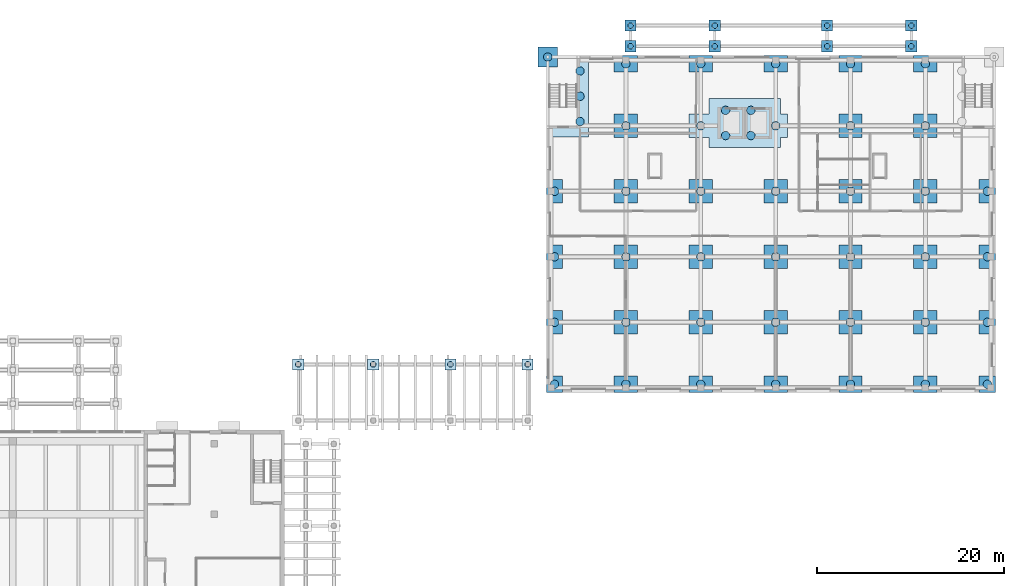
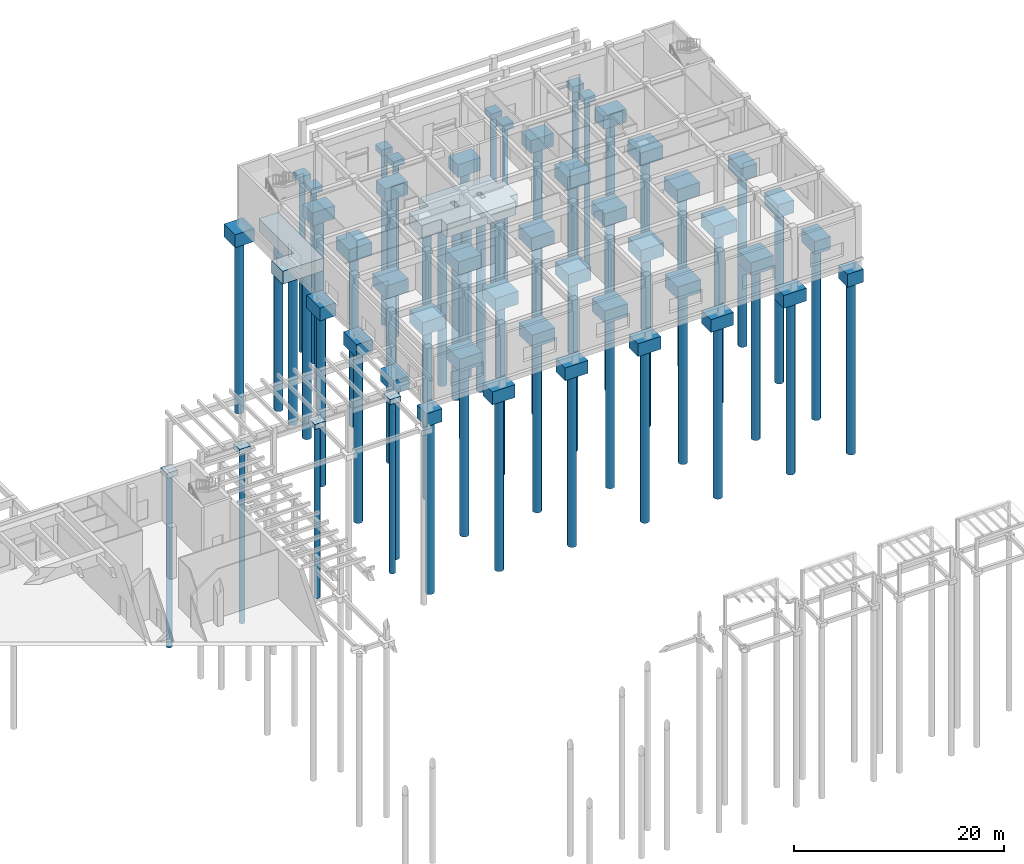
# One storey, part 3 of 51: 58 piles, 51 footings.
"""IFC4 building model written with IfcOpenShell, lengths in metres."""

from ifc_helpers import new_model, si_unit, direction, frame, origin, origin_2d, place, context, subcontext, project, spatial, polyline, circle, outline, extrude, material, layer, layer_set, material_profile, profile_set, type_object, element, save


model = new_model("IFC4")

# Units and contexts
model_context = context("Model", 3, precision=1e-05, world=origin(), true_north=direction((0.0, 1.0)))
body_context = subcontext(model_context, "Body", "Model", "MODEL_VIEW")
ifc_project = project(units=[si_unit("LENGTHUNIT", "METRE"), si_unit("AREAUNIT", "SQUARE_METRE"), si_unit("VOLUMEUNIT", "CUBIC_METRE"), si_unit("PLANEANGLEUNIT", "RADIAN"), si_unit("MASSUNIT", "GRAM", prefix="KILO")], contexts=[model_context])

# Site, building, storey
site_placement = place(None, origin())
site = spatial("IfcSite", under=ifc_project, at=site_placement, CompositionType="ELEMENT")
building_placement = place(site_placement, origin())
building = spatial("IfcBuilding", under=site, at=building_placement, Name="Elmora Arch Market Hall", CompositionType="ELEMENT")
storey_placement = place(building_placement, origin())
storey = spatial("IfcBuildingStorey", under=building, at=storey_placement, Name="L00", CompositionType="ELEMENT", Elevation=0.0)

# Piles
ifc_material_1 = material(Name="Concrete C40/50", Category="concrete")
ifc_material_profile_1 = material_profile(ifc_material_1, circle(Radius=0.300048828125, at=origin_2d()), Name="Bored pile D600")
ifc_profile_set_1 = profile_set([ifc_material_profile_1], Name="Concrete C40/50")
pile_type_1 = type_object("IfcPileType", Name="Bored pile D600", PredefinedType="BORED", material=ifc_profile_set_1)
for number, where, z_axis, x_axis, name in (
    (1, (59.5, 133.0, -0.89990234375), (0.0, 0.0, -1.0), (1.0, 0.0, 0.0), "Bored pile PASS-N-05"),
    (2, (67.5, 133.0, -0.89990234375), (0.0, 0.0, -1.0), (1.0, 0.0, 0.0), "Bored pile PASS-N-06"),
    (3, (75.75, 133.0, -0.89990234375), (0.0, 0.0, -1.0), (1.0, 0.0, 0.0), "Bored pile PASS-N-07"),
    (4, (84.0, 133.0, -0.89990234375), (0.0, 0.0, -1.0), (1.0, 0.0, 0.0), "Bored pile PASS-N-08"),
    (5, (95.0, 167.0, -1.0), (0.0, 0.0, -1.0), (1.0, 0.0, 0.0), "Bored pile CAN-SCH-01"),
    (6, (104.0, 167.0, -1.0), (0.0, 0.0, -1.0), (1.0, 0.0, 0.0), "Bored pile CAN-SCH-02"),
    (7, (116.0, 167.0, -1.0), (0.0, 0.0, -1.0), (1.0, 0.0, 0.0), "Bored pile CAN-SCH-03"),
    (8, (125.0, 167.0, -1.0), (0.0, 0.0, -1.0), (1.0, 0.0, 0.0), "Bored pile CAN-SCH-04"),
    (9, (95.0, 169.199951171875, -1.0), (0.0, 0.0, -1.0), (1.0, 0.0, 0.0), "Bored pile CAN-SCH-05"),
    (10, (104.0, 169.199951171875, -1.0), (0.0, 0.0, -1.0), (1.0, 0.0, 0.0), "Bored pile CAN-SCH-06"),
    (11, (116.0, 169.199951171875, -1.0), (0.0, 0.0, -1.0), (1.0, 0.0, 0.0), "Bored pile CAN-SCH-07"),
    (12, (125.0, 169.199951171875, -1.0), (0.0, 0.0, -1.0), (1.0, 0.0, 0.0), "Bored pile CAN-SCH-08"),
):
    element("IfcPile", number, at=place(storey_placement, frame(where, z_axis=z_axis, x_axis=x_axis)), inside=storey, type_object=pile_type_1, Name=name, PredefinedType="BORED", context=body_context, shape_type="SweptSolid", body=[
        extrude(circle(Radius=0.300048828125, at=origin_2d()), origin(), (0.0, 0.0, 1.0), 20.0),
    ])
ifc_material_2 = material(Name="Concrete C40/50", Category="concrete")
ifc_material_profile_2 = material_profile(ifc_material_2, circle(Radius=0.449951171875, at=origin_2d()), Name="Bored pile D900")
ifc_profile_set_2 = profile_set([ifc_material_profile_2], Name="Concrete C40/50")
pile_type_2 = type_object("IfcPileType", Name="Bored pile D900", PredefinedType="BORED", material=ifc_profile_set_2)
for number, where, z_axis, x_axis, name in (
    (13, (86.875, 130.875, -2.89990234375), (0.0, 0.0, -1.0), (1.0, 0.0, 0.0), "Bored pile S001.01"),
    (14, (94.5, 130.875, -2.89990234375), (0.0, 0.0, -1.0), (1.0, 0.0, 0.0), "Bored pile S002.01"),
    (15, (102.5, 130.875, -2.89990234375), (0.0, 0.0, -1.0), (1.0, 0.0, 0.0), "Bored pile S003.01"),
    (16, (110.5, 130.875, -2.89990234375), (0.0, 0.0, -1.0), (1.0, 0.0, 0.0), "Bored pile S004.01"),
    (17, (118.5, 130.875, -2.89990234375), (0.0, 0.0, -1.0), (1.0, 0.0, 0.0), "Bored pile S005.01"),
    (18, (126.5, 130.875, -2.89990234375), (0.0, 0.0, -1.0), (1.0, 0.0, 0.0), "Bored pile S006.01"),
    (19, (133.125, 130.875, -2.89990234375), (0.0, 0.0, -1.0), (1.0, 0.0, 0.0), "Bored pile S007.01"),
    (20, (86.875, 137.5, -2.89990234375), (0.0, 0.0, -1.0), (1.0, 0.0, 0.0), "Bored pile S008.01"),
    (21, (94.5, 137.5, -2.89990234375), (0.0, 0.0, -1.0), (1.0, 0.0, 0.0), "Bored pile S009.01"),
    (22, (102.5, 137.5, -2.89990234375), (0.0, 0.0, -1.0), (1.0, 0.0, 0.0), "Bored pile S010.01"),
    (23, (110.5, 137.5, -2.89990234375), (0.0, 0.0, -1.0), (1.0, 0.0, 0.0), "Bored pile S011.01"),
    (24, (118.5, 137.5, -2.89990234375), (0.0, 0.0, -1.0), (1.0, 0.0, 0.0), "Bored pile S012.01"),
    (25, (126.5, 137.5, -2.89990234375), (0.0, 0.0, -1.0), (1.0, 0.0, 0.0), "Bored pile S013.01"),
    (26, (133.125, 137.5, -2.89990234375), (0.0, 0.0, -1.0), (1.0, 0.0, 0.0), "Bored pile S014.01"),
    (27, (86.875, 144.5, -2.89990234375), (0.0, 0.0, -1.0), (1.0, 0.0, 0.0), "Bored pile S015.01"),
    (28, (94.5, 144.5, -2.89990234375), (0.0, 0.0, -1.0), (1.0, 0.0, 0.0), "Bored pile S016.01"),
    (29, (102.5, 144.5, -2.89990234375), (0.0, 0.0, -1.0), (1.0, 0.0, 0.0), "Bored pile S017.01"),
    (30, (110.5, 144.5, -2.89990234375), (0.0, 0.0, -1.0), (1.0, 0.0, 0.0), "Bored pile S018.01"),
    (31, (118.5, 144.5, -2.89990234375), (0.0, 0.0, -1.0), (1.0, 0.0, 0.0), "Bored pile S019.01"),
    (32, (126.5, 144.5, -2.89990234375), (0.0, 0.0, -1.0), (1.0, 0.0, 0.0), "Bored pile S020.01"),
    (33, (133.125, 144.5, -2.89990234375), (0.0, 0.0, -1.0), (1.0, 0.0, 0.0), "Bored pile S021.01"),
    (34, (86.875, 151.5, -2.89990234375), (0.0, 0.0, -1.0), (1.0, 0.0, 0.0), "Bored pile S022.01"),
    (35, (94.5, 151.5, -2.89990234375), (0.0, 0.0, -1.0), (1.0, 0.0, 0.0), "Bored pile S023.01"),
    (36, (102.5, 151.5, -2.89990234375), (0.0, 0.0, -1.0), (1.0, 0.0, 0.0), "Bored pile S024.01"),
    (37, (110.5, 151.5, -2.89990234375), (0.0, 0.0, -1.0), (1.0, 0.0, 0.0), "Bored pile S025.01"),
    (38, (118.5, 151.5, -2.89990234375), (0.0, 0.0, -1.0), (1.0, 0.0, 0.0), "Bored pile S026.01"),
    (39, (126.5, 151.5, -2.89990234375), (0.0, 0.0, -1.0), (1.0, 0.0, 0.0), "Bored pile S027.01"),
    (40, (133.125, 151.5, -2.89990234375), (0.0, 0.0, -1.0), (1.0, 0.0, 0.0), "Bored pile S028.01"),
    (41, (105.14990234375, 157.449951171875, -2.89990234375), (0.0, 0.0, -1.0), (1.0, 0.0, 0.0), "Bored pile S029.01"),
    (42, (105.14990234375, 160.14990234375, -2.89990234375), (0.0, 0.0, -1.0), (1.0, 0.0, 0.0), "Bored pile S029.02"),
    (43, (107.85009765625, 157.449951171875, -2.89990234375), (0.0, 0.0, -1.0), (1.0, 0.0, 0.0), "Bored pile S029.03"),
    (44, (107.85009765625, 160.14990234375, -2.89990234375), (0.0, 0.0, -1.0), (1.0, 0.0, 0.0), "Bored pile S029.04"),
    (45, (102.5, 158.5, -2.89990234375), (0.0, 0.0, -1.0), (1.0, 0.0, 0.0), "Bored pile S029.05"),
    (46, (110.5, 158.5, -2.89990234375), (0.0, 0.0, -1.0), (1.0, 0.0, 0.0), "Bored pile S029.06"),
    (47, (94.5, 158.5, -2.89990234375), (0.0, 0.0, -1.0), (1.0, 0.0, 0.0), "Bored pile S030.01"),
    (48, (118.5, 158.5, -2.89990234375), (0.0, 0.0, -1.0), (1.0, 0.0, 0.0), "Bored pile S031.01"),
    (49, (126.5, 158.5, -2.89990234375), (0.0, 0.0, -1.0), (1.0, 0.0, 0.0), "Bored pile S032.01"),
    (50, (89.60009765625, 158.949951171875, -2.89990234375), (0.0, 0.0, -1.0), (1.0, 0.0, 0.0), "Bored pile S033.01"),
    (51, (89.60009765625, 161.64990234375, -2.89990234375), (0.0, 0.0, -1.0), (1.0, 0.0, 0.0), "Bored pile S033.02"),
    (52, (89.60009765625, 164.35009765625, -2.89990234375), (0.0, 0.0, -1.0), (1.0, 0.0, 0.0), "Bored pile S033.03"),
    (53, (94.5, 165.125, -2.89990234375), (0.0, 0.0, -1.0), (1.0, 0.0, 0.0), "Bored pile S035.01"),
    (54, (102.5, 165.125, -2.89990234375), (0.0, 0.0, -1.0), (1.0, 0.0, 0.0), "Bored pile S036.01"),
    (55, (110.5, 165.125, -2.89990234375), (0.0, 0.0, -1.0), (1.0, 0.0, 0.0), "Bored pile S037.01"),
    (56, (118.5, 165.125, -2.89990234375), (0.0, 0.0, -1.0), (1.0, 0.0, 0.0), "Bored pile S038.01"),
    (57, (126.5, 165.125, -2.89990234375), (0.0, 0.0, -1.0), (1.0, 0.0, 0.0), "Bored pile S039.01"),
    (58, (86.14990234375, 165.85009765625, -2.89990234375), (0.0, 0.0, -1.0), (1.0, 0.0, 0.0), "Bored pile S040.01"),
):
    element("IfcPile", number, at=place(storey_placement, frame(where, z_axis=z_axis, x_axis=x_axis)), inside=storey, type_object=pile_type_2, Name=name, PredefinedType="BORED", context=body_context, shape_type="SweptSolid", body=[
        extrude(circle(Radius=0.449951171875, at=origin_2d()), origin(), (0.0, 0.0, 1.0), 20.0),
    ])

# Footings
ifc_material_3 = material(Name="Concrete C40/50", Category="concrete")
ifc_layer_1 = layer(ifc_material_3, 0.60009765625)
ifc_layer_set_1 = layer_set([ifc_layer_1], Name="Concrete C40/50")
footing_type_1 = type_object("IfcFootingType", Name="Pad footing 600", PredefinedType="PAD_FOOTING", material=ifc_layer_set_1)
footing_1_placement = place(storey_placement, frame((0.0, 0.0, -0.89990234375)))
element("IfcFooting", 59, at=footing_1_placement, inside=storey, type_object=footing_type_1, Name="Pad footing PASS-N-05", PredefinedType="PAD_FOOTING", context=body_context, shape_type="SweptSolid", body=[
    extrude(outline(polyline([(58.89990234375, 132.39990234375), (60.10009765625, 132.39990234375), (60.10009765625, 133.60009765625), (58.89990234375, 133.60009765625), (58.89990234375, 132.39990234375)])), origin(), (0.0, 0.0, 1.0), 0.599853515625),
])
footing_2_placement = place(storey_placement, frame((0.0, 0.0, -0.89990234375)))
element("IfcFooting", 60, at=footing_2_placement, inside=storey, type_object=footing_type_1, Name="Pad footing PASS-N-06", PredefinedType="PAD_FOOTING", context=body_context, shape_type="SweptSolid", body=[
    extrude(outline(polyline([(66.89990234375, 132.39990234375), (68.10009765625, 132.39990234375), (68.10009765625, 133.60009765625), (66.89990234375, 133.60009765625), (66.89990234375, 132.39990234375)])), origin(), (0.0, 0.0, 1.0), 0.599853515625),
])
footing_3_placement = place(storey_placement, frame((0.0, 0.0, -0.89990234375)))
element("IfcFooting", 61, at=footing_3_placement, inside=storey, type_object=footing_type_1, Name="Pad footing PASS-N-07", PredefinedType="PAD_FOOTING", context=body_context, shape_type="SweptSolid", body=[
    extrude(outline(polyline([(75.14990234375, 132.39990234375), (76.35009765625, 132.39990234375), (76.35009765625, 133.60009765625), (75.14990234375, 133.60009765625), (75.14990234375, 132.39990234375)])), origin(), (0.0, 0.0, 1.0), 0.599853515625),
])
footing_4_placement = place(storey_placement, frame((0.0, 0.0, -0.89990234375)))
element("IfcFooting", 62, at=footing_4_placement, inside=storey, type_object=footing_type_1, Name="Pad footing PASS-N-08", PredefinedType="PAD_FOOTING", context=body_context, shape_type="SweptSolid", body=[
    extrude(outline(polyline([(83.39990234375, 132.39990234375), (84.60009765625, 132.39990234375), (84.60009765625, 133.60009765625), (83.39990234375, 133.60009765625), (83.39990234375, 132.39990234375)])), origin(), (0.0, 0.0, 1.0), 0.599853515625),
])
ifc_material_4 = material(Name="Concrete C40/50", Category="concrete")
ifc_layer_2 = layer(ifc_material_4, 0.699951171875)
ifc_layer_set_2 = layer_set([ifc_layer_2], Name="Concrete C40/50")
footing_type_2 = type_object("IfcFootingType", Name="Pad footing 700", PredefinedType="PAD_FOOTING", material=ifc_layer_set_2)
footing_5_placement = place(storey_placement, frame((0.0, 0.0, -1.0)))
element("IfcFooting", 63, at=footing_5_placement, inside=storey, type_object=footing_type_2, Name="Pad footing CAN-SCH-01", PredefinedType="PAD_FOOTING", context=body_context, shape_type="SweptSolid", body=[
    extrude(outline(polyline([(94.39990234375, 166.39990234375), (95.60009765625, 166.39990234375), (95.60009765625, 167.60009765625), (94.39990234375, 167.60009765625), (94.39990234375, 166.39990234375)])), origin(), (0.0, 0.0, 1.0), 0.699951171875),
])
footing_6_placement = place(storey_placement, frame((0.0, 0.0, -1.0)))
element("IfcFooting", 64, at=footing_6_placement, inside=storey, type_object=footing_type_2, Name="Pad footing CAN-SCH-02", PredefinedType="PAD_FOOTING", context=body_context, shape_type="SweptSolid", body=[
    extrude(outline(polyline([(103.39990234375, 166.39990234375), (104.60009765625, 166.39990234375), (104.60009765625, 167.60009765625), (103.39990234375, 167.60009765625), (103.39990234375, 166.39990234375)])), origin(), (0.0, 0.0, 1.0), 0.699951171875),
])
footing_7_placement = place(storey_placement, frame((0.0, 0.0, -1.0)))
element("IfcFooting", 65, at=footing_7_placement, inside=storey, type_object=footing_type_2, Name="Pad footing CAN-SCH-03", PredefinedType="PAD_FOOTING", context=body_context, shape_type="SweptSolid", body=[
    extrude(outline(polyline([(115.39990234375, 166.39990234375), (116.60009765625, 166.39990234375), (116.60009765625, 167.60009765625), (115.39990234375, 167.60009765625), (115.39990234375, 166.39990234375)])), origin(), (0.0, 0.0, 1.0), 0.699951171875),
])
footing_8_placement = place(storey_placement, frame((0.0, 0.0, -1.0)))
element("IfcFooting", 66, at=footing_8_placement, inside=storey, type_object=footing_type_2, Name="Pad footing CAN-SCH-04", PredefinedType="PAD_FOOTING", context=body_context, shape_type="SweptSolid", body=[
    extrude(outline(polyline([(124.39990234375, 166.39990234375), (125.60009765625, 166.39990234375), (125.60009765625, 167.60009765625), (124.39990234375, 167.60009765625), (124.39990234375, 166.39990234375)])), origin(), (0.0, 0.0, 1.0), 0.699951171875),
])
footing_9_placement = place(storey_placement, frame((0.0, 0.0, -1.0)))
element("IfcFooting", 67, at=footing_9_placement, inside=storey, type_object=footing_type_2, Name="Pad footing CAN-SCH-05", PredefinedType="PAD_FOOTING", context=body_context, shape_type="SweptSolid", body=[
    extrude(outline(polyline([(94.39990234375, 168.60009765625), (95.60009765625, 168.60009765625), (95.60009765625, 169.800048828125), (94.39990234375, 169.800048828125), (94.39990234375, 168.60009765625)])), origin(), (0.0, 0.0, 1.0), 0.699951171875),
])
footing_10_placement = place(storey_placement, frame((0.0, 0.0, -1.0)))
element("IfcFooting", 68, at=footing_10_placement, inside=storey, type_object=footing_type_2, Name="Pad footing CAN-SCH-06", PredefinedType="PAD_FOOTING", context=body_context, shape_type="SweptSolid", body=[
    extrude(outline(polyline([(103.39990234375, 168.60009765625), (104.60009765625, 168.60009765625), (104.60009765625, 169.800048828125), (103.39990234375, 169.800048828125), (103.39990234375, 168.60009765625)])), origin(), (0.0, 0.0, 1.0), 0.699951171875),
])
footing_11_placement = place(storey_placement, frame((0.0, 0.0, -1.0)))
element("IfcFooting", 69, at=footing_11_placement, inside=storey, type_object=footing_type_2, Name="Pad footing CAN-SCH-07", PredefinedType="PAD_FOOTING", context=body_context, shape_type="SweptSolid", body=[
    extrude(outline(polyline([(115.39990234375, 168.60009765625), (116.60009765625, 168.60009765625), (116.60009765625, 169.800048828125), (115.39990234375, 169.800048828125), (115.39990234375, 168.60009765625)])), origin(), (0.0, 0.0, 1.0), 0.699951171875),
])
footing_12_placement = place(storey_placement, frame((0.0, 0.0, -1.0)))
element("IfcFooting", 70, at=footing_12_placement, inside=storey, type_object=footing_type_2, Name="Pad footing CAN-SCH-08", PredefinedType="PAD_FOOTING", context=body_context, shape_type="SweptSolid", body=[
    extrude(outline(polyline([(124.39990234375, 168.60009765625), (125.60009765625, 168.60009765625), (125.60009765625, 169.800048828125), (124.39990234375, 169.800048828125), (124.39990234375, 168.60009765625)])), origin(), (0.0, 0.0, 1.0), 0.699951171875),
])
ifc_material_5 = material(Name="Concrete C40/50", Category="concrete")
ifc_layer_3 = layer(ifc_material_5, 1.5)
ifc_layer_set_3 = layer_set([ifc_layer_3], Name="Concrete C40/50")
footing_type_3 = type_object("IfcFootingType", Name="Pile cap 1500, 3 to 4 piles", PredefinedType="PILE_CAP", material=ifc_layer_set_3)
footing_13_placement = place(storey_placement, frame((0.0, 0.0, -2.89990234375)))
element("IfcFooting", 71, at=footing_13_placement, inside=storey, type_object=footing_type_3, Name="Pile cap S033", PredefinedType="PILE_CAP", context=body_context, shape_type="SweptSolid", body=[
    extrude(outline(polyline([(88.39990234375, 164.800048828125), (88.39990234375, 166.0), (90.5, 166.0), (90.5, 164.800048828125), (90.5, 157.300048828125), (90.199951171875, 157.300048828125), (88.39990234375, 157.300048828125), (87.199951171875, 157.300048828125), (86.0, 157.300048828125), (86.0, 159.39990234375), (87.199951171875, 159.39990234375), (88.39990234375, 159.39990234375), (88.39990234375, 164.800048828125), (88.39990234375, 164.800048828125)])), origin(), (0.0, 0.0, 1.0), 1.5),
])
ifc_material_6 = material(Name="Concrete C40/50", Category="concrete")
ifc_layer_4 = layer(ifc_material_6, 1.5)
ifc_layer_set_4 = layer_set([ifc_layer_4], Name="Concrete C40/50")
footing_type_4 = type_object("IfcFootingType", Name="Pile cap 1500, 5 to 8 piles", PredefinedType="PILE_CAP", material=ifc_layer_set_4)
footing_14_placement = place(storey_placement, frame((0.0, 0.0, -2.89990234375)))
element("IfcFooting", 72, at=footing_14_placement, inside=storey, type_object=footing_type_4, Name="Pile cap S029", PredefinedType="PILE_CAP", context=body_context, shape_type="SweptSolid", body=[
    extrude(outline(polyline([(103.39990234375, 159.75), (103.39990234375, 161.39990234375), (103.699951171875, 161.39990234375), (105.5, 161.39990234375), (106.0, 161.39990234375), (106.300048828125, 161.39990234375), (106.60009765625, 161.39990234375), (107.800048828125, 161.39990234375), (108.10009765625, 161.39990234375), (108.39990234375, 161.39990234375), (108.89990234375, 161.39990234375), (110.699951171875, 161.39990234375), (111.0, 161.39990234375), (111.0, 159.75), (111.75, 159.75), (111.75, 157.25), (111.0, 157.25), (111.0, 156.199951171875), (110.699951171875, 156.199951171875), (108.89990234375, 156.199951171875), (108.39990234375, 156.199951171875), (108.10009765625, 156.199951171875), (107.800048828125, 156.199951171875), (106.60009765625, 156.199951171875), (106.300048828125, 156.199951171875), (106.0, 156.199951171875), (105.5, 156.199951171875), (103.699951171875, 156.199951171875), (103.39990234375, 156.199951171875), (103.39990234375, 157.25), (101.25, 157.25), (101.25, 159.75), (103.39990234375, 159.75)]), holes=[polyline([(106.0, 159.300048828125), (105.5, 159.300048828125), (105.5, 158.300048828125), (106.0, 158.300048828125), (106.0, 159.300048828125)]), polyline([(108.89990234375, 159.300048828125), (108.39990234375, 159.300048828125), (108.39990234375, 158.300048828125), (108.89990234375, 158.300048828125), (108.89990234375, 159.300048828125)])]), origin(), (0.0, 0.0, 1.0), 1.5),
])
ifc_material_7 = material(Name="Concrete C40/50", Category="concrete")
ifc_layer_5 = layer(ifc_material_7, 1.5)
ifc_layer_set_5 = layer_set([ifc_layer_5], Name="Concrete C40/50")
footing_type_5 = type_object("IfcFootingType", Name="Pile cap 1500, up to 2 piles", PredefinedType="PILE_CAP", material=ifc_layer_set_5)
footing_15_placement = place(storey_placement, frame((0.0, 0.0, -2.89990234375)))
element("IfcFooting", 73, at=footing_15_placement, inside=storey, type_object=footing_type_5, Name="Pile cap S001", PredefinedType="PILE_CAP", context=body_context, shape_type="SweptSolid", body=[
    extrude(outline(polyline([(87.75, 131.75), (87.75, 130.0), (86.0, 130.0), (86.0, 131.75), (87.75, 131.75)])), origin(), (0.0, 0.0, 1.0), 1.5),
])
footing_16_placement = place(storey_placement, frame((0.0, 0.0, -2.89990234375)))
element("IfcFooting", 74, at=footing_16_placement, inside=storey, type_object=footing_type_5, Name="Pile cap S002", PredefinedType="PILE_CAP", context=body_context, shape_type="SweptSolid", body=[
    extrude(outline(polyline([(95.75, 131.75), (95.75, 130.0), (93.25, 130.0), (93.25, 131.75), (95.75, 131.75)])), origin(), (0.0, 0.0, 1.0), 1.5),
])
footing_17_placement = place(storey_placement, frame((0.0, 0.0, -2.89990234375)))
element("IfcFooting", 75, at=footing_17_placement, inside=storey, type_object=footing_type_5, Name="Pile cap S003", PredefinedType="PILE_CAP", context=body_context, shape_type="SweptSolid", body=[
    extrude(outline(polyline([(103.75, 131.75), (103.75, 130.0), (101.25, 130.0), (101.25, 131.75), (103.75, 131.75)])), origin(), (0.0, 0.0, 1.0), 1.5),
])
footing_18_placement = place(storey_placement, frame((0.0, 0.0, -2.89990234375)))
element("IfcFooting", 76, at=footing_18_placement, inside=storey, type_object=footing_type_5, Name="Pile cap S004", PredefinedType="PILE_CAP", context=body_context, shape_type="SweptSolid", body=[
    extrude(outline(polyline([(109.25, 131.75), (111.75, 131.75), (111.75, 130.0), (109.25, 130.0), (109.25, 131.75)])), origin(), (0.0, 0.0, 1.0), 1.5),
])
footing_19_placement = place(storey_placement, frame((0.0, 0.0, -2.89990234375)))
element("IfcFooting", 77, at=footing_19_placement, inside=storey, type_object=footing_type_5, Name="Pile cap S005", PredefinedType="PILE_CAP", context=body_context, shape_type="SweptSolid", body=[
    extrude(outline(polyline([(119.75, 131.75), (119.75, 130.0), (117.25, 130.0), (117.25, 131.75), (119.75, 131.75)])), origin(), (0.0, 0.0, 1.0), 1.5),
])
footing_20_placement = place(storey_placement, frame((0.0, 0.0, -2.89990234375)))
element("IfcFooting", 78, at=footing_20_placement, inside=storey, type_object=footing_type_5, Name="Pile cap S006", PredefinedType="PILE_CAP", context=body_context, shape_type="SweptSolid", body=[
    extrude(outline(polyline([(127.75, 131.75), (127.75, 130.0), (125.25, 130.0), (125.25, 131.75), (127.75, 131.75)])), origin(), (0.0, 0.0, 1.0), 1.5),
])
footing_21_placement = place(storey_placement, frame((0.0, 0.0, -2.89990234375)))
element("IfcFooting", 79, at=footing_21_placement, inside=storey, type_object=footing_type_5, Name="Pile cap S007", PredefinedType="PILE_CAP", context=body_context, shape_type="SweptSolid", body=[
    extrude(outline(polyline([(134.0, 131.75), (134.0, 130.0), (132.25, 130.0), (132.25, 131.75), (134.0, 131.75)])), origin(), (0.0, 0.0, 1.0), 1.5),
])
footing_22_placement = place(storey_placement, frame((0.0, 0.0, -2.89990234375)))
element("IfcFooting", 80, at=footing_22_placement, inside=storey, type_object=footing_type_5, Name="Pile cap S008", PredefinedType="PILE_CAP", context=body_context, shape_type="SweptSolid", body=[
    extrude(outline(polyline([(87.75, 138.75), (87.75, 136.25), (86.0, 136.25), (86.0, 138.75), (87.75, 138.75)])), origin(), (0.0, 0.0, 1.0), 1.5),
])
footing_23_placement = place(storey_placement, frame((0.0, 0.0, -2.89990234375)))
element("IfcFooting", 81, at=footing_23_placement, inside=storey, type_object=footing_type_5, Name="Pile cap S009", PredefinedType="PILE_CAP", context=body_context, shape_type="SweptSolid", body=[
    extrude(outline(polyline([(95.75, 138.75), (95.75, 136.25), (93.25, 136.25), (93.25, 138.75), (95.75, 138.75)])), origin(), (0.0, 0.0, 1.0), 1.5),
])
footing_24_placement = place(storey_placement, frame((0.0, 0.0, -2.89990234375)))
element("IfcFooting", 82, at=footing_24_placement, inside=storey, type_object=footing_type_5, Name="Pile cap S010", PredefinedType="PILE_CAP", context=body_context, shape_type="SweptSolid", body=[
    extrude(outline(polyline([(103.75, 138.75), (103.75, 136.25), (101.25, 136.25), (101.25, 138.75), (103.75, 138.75)])), origin(), (0.0, 0.0, 1.0), 1.5),
])
footing_25_placement = place(storey_placement, frame((0.0, 0.0, -2.89990234375)))
element("IfcFooting", 83, at=footing_25_placement, inside=storey, type_object=footing_type_5, Name="Pile cap S011", PredefinedType="PILE_CAP", context=body_context, shape_type="SweptSolid", body=[
    extrude(outline(polyline([(111.75, 138.75), (111.75, 136.25), (109.25, 136.25), (109.25, 138.75), (111.75, 138.75)])), origin(), (0.0, 0.0, 1.0), 1.5),
])
footing_26_placement = place(storey_placement, frame((0.0, 0.0, -2.89990234375)))
element("IfcFooting", 84, at=footing_26_placement, inside=storey, type_object=footing_type_5, Name="Pile cap S012", PredefinedType="PILE_CAP", context=body_context, shape_type="SweptSolid", body=[
    extrude(outline(polyline([(119.75, 138.75), (119.75, 136.25), (117.25, 136.25), (117.25, 138.75), (119.75, 138.75)])), origin(), (0.0, 0.0, 1.0), 1.5),
])
footing_27_placement = place(storey_placement, frame((0.0, 0.0, -2.89990234375)))
element("IfcFooting", 85, at=footing_27_placement, inside=storey, type_object=footing_type_5, Name="Pile cap S013", PredefinedType="PILE_CAP", context=body_context, shape_type="SweptSolid", body=[
    extrude(outline(polyline([(127.75, 138.75), (127.75, 136.25), (125.25, 136.25), (125.25, 138.75), (127.75, 138.75)])), origin(), (0.0, 0.0, 1.0), 1.5),
])
footing_28_placement = place(storey_placement, frame((0.0, 0.0, -2.89990234375)))
element("IfcFooting", 86, at=footing_28_placement, inside=storey, type_object=footing_type_5, Name="Pile cap S014", PredefinedType="PILE_CAP", context=body_context, shape_type="SweptSolid", body=[
    extrude(outline(polyline([(134.0, 138.75), (134.0, 136.25), (132.25, 136.25), (132.25, 138.75), (134.0, 138.75)])), origin(), (0.0, 0.0, 1.0), 1.5),
])
footing_29_placement = place(storey_placement, frame((0.0, 0.0, -2.89990234375)))
element("IfcFooting", 87, at=footing_29_placement, inside=storey, type_object=footing_type_5, Name="Pile cap S015", PredefinedType="PILE_CAP", context=body_context, shape_type="SweptSolid", body=[
    extrude(outline(polyline([(87.75, 145.75), (87.75, 143.25), (86.0, 143.25), (86.0, 145.75), (87.75, 145.75)])), origin(), (0.0, 0.0, 1.0), 1.5),
])
footing_30_placement = place(storey_placement, frame((0.0, 0.0, -2.89990234375)))
element("IfcFooting", 88, at=footing_30_placement, inside=storey, type_object=footing_type_5, Name="Pile cap S016", PredefinedType="PILE_CAP", context=body_context, shape_type="SweptSolid", body=[
    extrude(outline(polyline([(93.25, 145.75), (95.75, 145.75), (95.75, 143.25), (93.25, 143.25), (93.25, 145.75)])), origin(), (0.0, 0.0, 1.0), 1.5),
])
footing_31_placement = place(storey_placement, frame((0.0, 0.0, -2.89990234375)))
element("IfcFooting", 89, at=footing_31_placement, inside=storey, type_object=footing_type_5, Name="Pile cap S017", PredefinedType="PILE_CAP", context=body_context, shape_type="SweptSolid", body=[
    extrude(outline(polyline([(103.75, 145.75), (103.75, 143.25), (101.25, 143.25), (101.25, 145.75), (103.75, 145.75)])), origin(), (0.0, 0.0, 1.0), 1.5),
])
footing_32_placement = place(storey_placement, frame((0.0, 0.0, -2.89990234375)))
element("IfcFooting", 90, at=footing_32_placement, inside=storey, type_object=footing_type_5, Name="Pile cap S018", PredefinedType="PILE_CAP", context=body_context, shape_type="SweptSolid", body=[
    extrude(outline(polyline([(111.75, 145.75), (111.75, 143.25), (109.25, 143.25), (109.25, 145.75), (111.75, 145.75)])), origin(), (0.0, 0.0, 1.0), 1.5),
])
footing_33_placement = place(storey_placement, frame((0.0, 0.0, -2.89990234375)))
element("IfcFooting", 91, at=footing_33_placement, inside=storey, type_object=footing_type_5, Name="Pile cap S019", PredefinedType="PILE_CAP", context=body_context, shape_type="SweptSolid", body=[
    extrude(outline(polyline([(117.25, 145.75), (119.75, 145.75), (119.75, 143.25), (117.25, 143.25), (117.25, 145.75)])), origin(), (0.0, 0.0, 1.0), 1.5),
])
footing_34_placement = place(storey_placement, frame((0.0, 0.0, -2.89990234375)))
element("IfcFooting", 92, at=footing_34_placement, inside=storey, type_object=footing_type_5, Name="Pile cap S020", PredefinedType="PILE_CAP", context=body_context, shape_type="SweptSolid", body=[
    extrude(outline(polyline([(127.75, 145.75), (127.75, 143.25), (125.25, 143.25), (125.25, 145.75), (127.75, 145.75)])), origin(), (0.0, 0.0, 1.0), 1.5),
])
footing_35_placement = place(storey_placement, frame((0.0, 0.0, -2.89990234375)))
element("IfcFooting", 93, at=footing_35_placement, inside=storey, type_object=footing_type_5, Name="Pile cap S021", PredefinedType="PILE_CAP", context=body_context, shape_type="SweptSolid", body=[
    extrude(outline(polyline([(134.0, 145.75), (134.0, 143.25), (132.25, 143.25), (132.25, 145.75), (134.0, 145.75)])), origin(), (0.0, 0.0, 1.0), 1.5),
])
footing_36_placement = place(storey_placement, frame((0.0, 0.0, -2.89990234375)))
element("IfcFooting", 94, at=footing_36_placement, inside=storey, type_object=footing_type_5, Name="Pile cap S022", PredefinedType="PILE_CAP", context=body_context, shape_type="SweptSolid", body=[
    extrude(outline(polyline([(87.75, 152.75), (87.75, 150.25), (86.0, 150.25), (86.0, 152.75), (87.75, 152.75)])), origin(), (0.0, 0.0, 1.0), 1.5),
])
footing_37_placement = place(storey_placement, frame((0.0, 0.0, -2.89990234375)))
element("IfcFooting", 95, at=footing_37_placement, inside=storey, type_object=footing_type_5, Name="Pile cap S023", PredefinedType="PILE_CAP", context=body_context, shape_type="SweptSolid", body=[
    extrude(outline(polyline([(95.75, 152.75), (95.75, 150.25), (93.25, 150.25), (93.25, 152.75), (95.75, 152.75)])), origin(), (0.0, 0.0, 1.0), 1.5),
])
footing_38_placement = place(storey_placement, frame((0.0, 0.0, -2.89990234375)))
element("IfcFooting", 96, at=footing_38_placement, inside=storey, type_object=footing_type_5, Name="Pile cap S024", PredefinedType="PILE_CAP", context=body_context, shape_type="SweptSolid", body=[
    extrude(outline(polyline([(103.75, 152.75), (103.75, 150.25), (101.25, 150.25), (101.25, 152.75), (103.75, 152.75)])), origin(), (0.0, 0.0, 1.0), 1.5),
])
footing_39_placement = place(storey_placement, frame((0.0, 0.0, -2.89990234375)))
element("IfcFooting", 97, at=footing_39_placement, inside=storey, type_object=footing_type_5, Name="Pile cap S025", PredefinedType="PILE_CAP", context=body_context, shape_type="SweptSolid", body=[
    extrude(outline(polyline([(111.75, 152.75), (111.75, 150.25), (109.25, 150.25), (109.25, 152.75), (111.75, 152.75)])), origin(), (0.0, 0.0, 1.0), 1.5),
])
footing_40_placement = place(storey_placement, frame((0.0, 0.0, -2.89990234375)))
element("IfcFooting", 98, at=footing_40_placement, inside=storey, type_object=footing_type_5, Name="Pile cap S026", PredefinedType="PILE_CAP", context=body_context, shape_type="SweptSolid", body=[
    extrude(outline(polyline([(119.75, 152.75), (119.75, 150.25), (117.25, 150.25), (117.25, 152.75), (119.75, 152.75)])), origin(), (0.0, 0.0, 1.0), 1.5),
])
footing_41_placement = place(storey_placement, frame((0.0, 0.0, -2.89990234375)))
element("IfcFooting", 99, at=footing_41_placement, inside=storey, type_object=footing_type_5, Name="Pile cap S027", PredefinedType="PILE_CAP", context=body_context, shape_type="SweptSolid", body=[
    extrude(outline(polyline([(127.75, 152.75), (127.75, 150.25), (125.25, 150.25), (125.25, 152.75), (127.75, 152.75)])), origin(), (0.0, 0.0, 1.0), 1.5),
])
footing_42_placement = place(storey_placement, frame((0.0, 0.0, -2.89990234375)))
element("IfcFooting", 100, at=footing_42_placement, inside=storey, type_object=footing_type_5, Name="Pile cap S028", PredefinedType="PILE_CAP", context=body_context, shape_type="SweptSolid", body=[
    extrude(outline(polyline([(134.0, 152.75), (134.0, 150.25), (132.25, 150.25), (132.25, 152.75), (134.0, 152.75)])), origin(), (0.0, 0.0, 1.0), 1.5),
])
footing_43_placement = place(storey_placement, frame((0.0, 0.0, -2.89990234375)))
element("IfcFooting", 101, at=footing_43_placement, inside=storey, type_object=footing_type_5, Name="Pile cap S030", PredefinedType="PILE_CAP", context=body_context, shape_type="SweptSolid", body=[
    extrude(outline(polyline([(93.25, 159.75), (95.75, 159.75), (95.75, 157.25), (93.25, 157.25), (93.25, 159.75)])), origin(), (0.0, 0.0, 1.0), 1.5),
])
footing_44_placement = place(storey_placement, frame((0.0, 0.0, -2.89990234375)))
element("IfcFooting", 102, at=footing_44_placement, inside=storey, type_object=footing_type_5, Name="Pile cap S031", PredefinedType="PILE_CAP", context=body_context, shape_type="SweptSolid", body=[
    extrude(outline(polyline([(119.75, 159.75), (119.75, 157.25), (117.25, 157.25), (117.25, 159.75), (119.75, 159.75)])), origin(), (0.0, 0.0, 1.0), 1.5),
])
footing_45_placement = place(storey_placement, frame((0.0, 0.0, -2.89990234375)))
element("IfcFooting", 103, at=footing_45_placement, inside=storey, type_object=footing_type_5, Name="Pile cap S032", PredefinedType="PILE_CAP", context=body_context, shape_type="SweptSolid", body=[
    extrude(outline(polyline([(127.75, 159.75), (127.75, 157.25), (125.25, 157.25), (125.25, 159.75), (127.75, 159.75)])), origin(), (0.0, 0.0, 1.0), 1.5),
])
footing_46_placement = place(storey_placement, frame((0.0, 0.0, -2.89990234375)))
element("IfcFooting", 104, at=footing_46_placement, inside=storey, type_object=footing_type_5, Name="Pile cap S035", PredefinedType="PILE_CAP", context=body_context, shape_type="SweptSolid", body=[
    extrude(outline(polyline([(95.75, 164.25), (93.25, 164.25), (93.25, 166.0), (95.75, 166.0), (95.75, 164.25)])), origin(), (0.0, 0.0, 1.0), 1.5),
])
footing_47_placement = place(storey_placement, frame((0.0, 0.0, -2.89990234375)))
element("IfcFooting", 105, at=footing_47_placement, inside=storey, type_object=footing_type_5, Name="Pile cap S036", PredefinedType="PILE_CAP", context=body_context, shape_type="SweptSolid", body=[
    extrude(outline(polyline([(101.25, 166.0), (103.75, 166.0), (103.75, 164.25), (101.25, 164.25), (101.25, 166.0)])), origin(), (0.0, 0.0, 1.0), 1.5),
])
footing_48_placement = place(storey_placement, frame((0.0, 0.0, -2.89990234375)))
element("IfcFooting", 106, at=footing_48_placement, inside=storey, type_object=footing_type_5, Name="Pile cap S037", PredefinedType="PILE_CAP", context=body_context, shape_type="SweptSolid", body=[
    extrude(outline(polyline([(111.75, 164.25), (109.25, 164.25), (109.25, 166.0), (111.75, 166.0), (111.75, 164.25)])), origin(), (0.0, 0.0, 1.0), 1.5),
])
footing_49_placement = place(storey_placement, frame((0.0, 0.0, -2.89990234375)))
element("IfcFooting", 107, at=footing_49_placement, inside=storey, type_object=footing_type_5, Name="Pile cap S038", PredefinedType="PILE_CAP", context=body_context, shape_type="SweptSolid", body=[
    extrude(outline(polyline([(119.75, 164.25), (117.25, 164.25), (117.25, 166.0), (119.75, 166.0), (119.75, 164.25)])), origin(), (0.0, 0.0, 1.0), 1.5),
])
footing_50_placement = place(storey_placement, frame((0.0, 0.0, -2.89990234375)))
element("IfcFooting", 108, at=footing_50_placement, inside=storey, type_object=footing_type_5, Name="Pile cap S039", PredefinedType="PILE_CAP", context=body_context, shape_type="SweptSolid", body=[
    extrude(outline(polyline([(127.75, 164.25), (125.25, 164.25), (125.25, 166.0), (127.75, 166.0), (127.75, 164.25)])), origin(), (0.0, 0.0, 1.0), 1.5),
])
footing_51_placement = place(storey_placement, frame((0.0, 0.0, -2.89990234375)))
element("IfcFooting", 109, at=footing_51_placement, inside=storey, type_object=footing_type_5, Name="Pile cap S040", PredefinedType="PILE_CAP", context=body_context, shape_type="SweptSolid", body=[
    extrude(outline(polyline([(87.199951171875, 164.800048828125), (85.10009765625, 164.800048828125), (85.10009765625, 166.89990234375), (87.199951171875, 166.89990234375), (87.199951171875, 164.800048828125)])), origin(), (0.0, 0.0, 1.0), 1.5),
])

save(model, "model.ifc")
